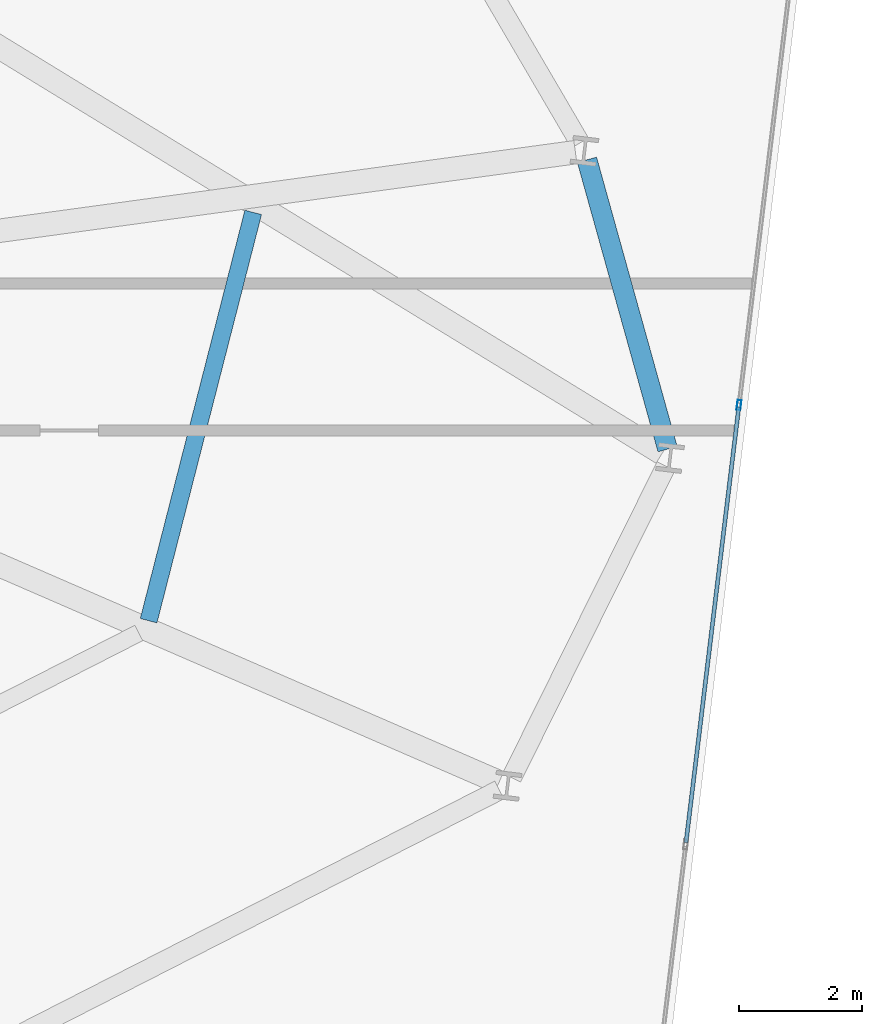
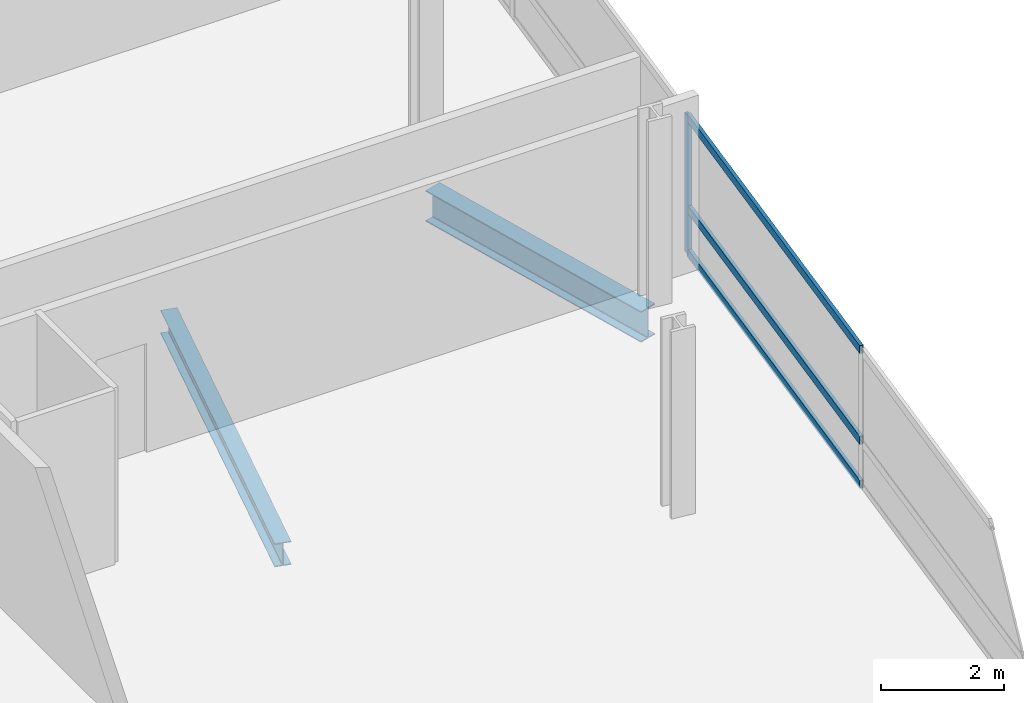
# One storey, part 15 of 26: 4 members, 2 beams, 1 element without a shape of its own.
"""IFC4 building model written with IfcOpenShell, lengths in metres."""

from ifc_helpers import new_model, si_unit, direction, frame, origin, origin_2d, place, context, subcontext, project, spatial, hollow_rectangle, i_section, extrude, material, layer, layer_set, material_profile, profile_set, type_object, element, aggregate, save


model = new_model("IFC4")

# Units and contexts
model_context = context("Model", 3, precision=1e-05, world=origin(), true_north=direction((0.0, 1.0)))
body_context = subcontext(model_context, "Body", "Model", "MODEL_VIEW")
ifc_project = project(units=[si_unit("LENGTHUNIT", "METRE"), si_unit("AREAUNIT", "SQUARE_METRE"), si_unit("VOLUMEUNIT", "CUBIC_METRE"), si_unit("PLANEANGLEUNIT", "RADIAN"), si_unit("MASSUNIT", "GRAM", prefix="KILO")], contexts=[model_context])

# Site, building, storey
site_placement = place(None, origin())
site = spatial("IfcSite", under=ifc_project, at=site_placement, CompositionType="ELEMENT")
building_placement = place(site_placement, origin())
building = spatial("IfcBuilding", under=site, at=building_placement, Name="Varnelok Gate Tower", CompositionType="ELEMENT")
storey_placement = place(building_placement, frame((0.0, 0.0, 147.60009765625)))
storey = spatial("IfcBuildingStorey", under=building, at=storey_placement, Name="L37", CompositionType="ELEMENT", Elevation=147.60009765625)

# Beams
ifc_material_1 = material(Name="Structural Steel ASTM A992 Grade 50", Category="steel")
ifc_material_profile_1 = material_profile(ifc_material_1, i_section(OverallWidth=0.280029296875, OverallDepth=0.462890625, WebThickness=0.0107421875, FlangeThickness=0.017333984375, FilletRadius=0.014892578125, at=origin_2d()), Name="W18X76")
ifc_profile_set_1 = profile_set([ifc_material_profile_1], Name="Structural Steel ASTM A992 Grade 50")
beam_type_1 = type_object("IfcBeamType", Name="BM-JST-W18X76", PredefinedType="JOIST", material=ifc_profile_set_1)
beam_1_placement = place(storey_placement, frame((65.9560546875, 13.75927734375, -0.481689453125), z_axis=(0.248146543732, 0.968722505588, 0.0), x_axis=(-0.968722505588, 0.248146543732, 0.0)))
element("IfcBeam", 1, at=beam_1_placement, inside=storey, type_object=beam_type_1, Name="L37 Sector Floor Joist 6", PredefinedType="JOIST", context=body_context, shape_type="SweptSolid", body=[
    extrude(i_section(OverallWidth=0.280029296875, OverallDepth=0.462890625, WebThickness=0.0107421875, FlangeThickness=0.017333984375, FilletRadius=0.014892578125, at=origin_2d()), origin(), (0.0, 0.0, 1.0), 6.8544921875),
])
ifc_material_profile_2 = material_profile(ifc_material_1, i_section(OverallWidth=0.323974609375, OverallDepth=0.611083984375, WebThickness=0.0126953125, FlangeThickness=0.01904296875, FilletRadius=0.01806640625, at=origin_2d()), Name="W24X104")
ifc_profile_set_2 = profile_set([ifc_material_profile_2], Name="Structural Steel ASTM A992 Grade 50")
beam_type_2 = type_object("IfcBeamType", Name="BM-SPN-W24X104", PredefinedType="SPANDREL", material=ifc_profile_set_2)
beam_2_placement = place(storey_placement, frame((74.395263671875, 16.54931640625, -0.5556640625), z_axis=(-0.26833732875, 0.963325011613, 0.0), x_axis=(-0.963325011613, -0.26833732875, 0.0)))
element("IfcBeam", 2, at=beam_2_placement, inside=storey, type_object=beam_type_2, Name="L37 Perimeter Spandrel Beam 7", PredefinedType="SPANDREL", context=body_context, shape_type="SweptSolid", body=[
    extrude(i_section(OverallWidth=0.323974609375, OverallDepth=0.611083984375, WebThickness=0.0126953125, FlangeThickness=0.01904296875, FilletRadius=0.01806640625, at=origin_2d()), origin(), (0.0, 0.0, 1.0), 4.884033203125),
])

# Curtain wall, members
ifc_material_2 = material(Name="Anodized Aluminum Alloy 6063-T6", Category="aluminium")
ifc_layer = layer(ifc_material_2, 0.179931640625)
ifc_layer_set = layer_set([ifc_layer], Name="Anodized Aluminum Alloy 6063-T6")
curtain_wall_type = type_object("IfcCurtainWallType", Name="CW3-HOTEL-VISION", PredefinedType="USERDEFINED", material=ifc_layer_set)
curtain_wall_placement = place(storey_placement, origin())
curtain_wall = element("IfcCurtainWall", 3, at=curtain_wall_placement, inside=storey, type_object=curtain_wall_type, Name="L37 East End Vision Curtain Wall", ObjectType="UNITISED CURTAIN WALL", PredefinedType="USERDEFINED")
ifc_material_profile_3 = material_profile(ifc_material_2, hollow_rectangle(XDim=0.06494140625, YDim=0.159912109375, WallThickness=0.00390625, at=origin_2d()), Name="ALU160X65X4")
ifc_profile_set_3 = profile_set([ifc_material_profile_3], Name="Anodized Aluminum Alloy 6063-T6")
member_type_1 = type_object("IfcMemberType", Name="CW-MULL-160", PredefinedType="MULLION", material=ifc_profile_set_3)
member_1_placement = place(storey_placement, frame((75.557373046875, 17.26611328125, 0.0), z_axis=(0.0, 0.0, 1.0), x_axis=(0.99273188146, -0.120347046212, 0.0)))
member_1 = element("IfcMember", 4, at=member_1_placement, type_object=member_type_1, Name="CW3 mullion 4", PredefinedType="MULLION", context=body_context, shape_type="SweptSolid", body=[
    extrude(hollow_rectangle(XDim=0.06494140625, YDim=0.159912109375, WallThickness=0.00390625, at=origin_2d()), origin(), (0.0, 0.0, 1.0), 2.72998046875),
])
ifc_material_profile_4 = material_profile(ifc_material_2, hollow_rectangle(XDim=0.06494140625, YDim=0.159912109375, WallThickness=0.00390625, at=origin_2d()), Name="ALU160X65X4")
ifc_profile_set_4 = profile_set([ifc_material_profile_4], Name="Anodized Aluminum Alloy 6063-T6")
member_type_2 = type_object("IfcMemberType", Name="CW-TRAN-160", PredefinedType="USERDEFINED", material=ifc_profile_set_4)
member_2_placement = place(storey_placement, frame((75.553466796875, 17.23388671875, 0.032470703125), z_axis=(-0.120340564253, -0.992732667235, 0.0), x_axis=(0.992732667235, -0.120340564253, 0.0)))
member_2 = element("IfcMember", 5, at=member_2_placement, type_object=member_type_2, Name="CW3 transom 4.1", ObjectType="TRANSOM", PredefinedType="USERDEFINED", context=body_context, shape_type="SweptSolid", body=[
    extrude(hollow_rectangle(XDim=0.06494140625, YDim=0.159912109375, WallThickness=0.00390625, at=origin_2d()), origin(), (0.0, 0.0, 1.0), 7.135009765625),
])
member_3_placement = place(storey_placement, frame((75.553466796875, 17.23388671875, 0.89990234375), z_axis=(-0.120340564253, -0.992732667235, 0.0), x_axis=(0.992732667235, -0.120340564253, 0.0)))
member_3 = element("IfcMember", 6, at=member_3_placement, type_object=member_type_2, Name="CW3 transom 4.2", ObjectType="TRANSOM", PredefinedType="USERDEFINED", context=body_context, shape_type="SweptSolid", body=[
    extrude(hollow_rectangle(XDim=0.06494140625, YDim=0.159912109375, WallThickness=0.00390625, at=origin_2d()), origin(), (0.0, 0.0, 1.0), 7.135009765625),
])
member_4_placement = place(storey_placement, frame((75.553466796875, 17.23388671875, 2.697509765625), z_axis=(-0.120340564253, -0.992732667235, 0.0), x_axis=(0.992732667235, -0.120340564253, 0.0)))
member_4 = element("IfcMember", 7, at=member_4_placement, type_object=member_type_2, Name="CW3 transom 4.3", ObjectType="TRANSOM", PredefinedType="USERDEFINED", context=body_context, shape_type="SweptSolid", body=[
    extrude(hollow_rectangle(XDim=0.06494140625, YDim=0.159912109375, WallThickness=0.00390625, at=origin_2d()), origin(), (0.0, 0.0, 1.0), 7.135009765625),
])
aggregate(curtain_wall, [member_1, member_2, member_3, member_4])

save(model, "model.ifc")
